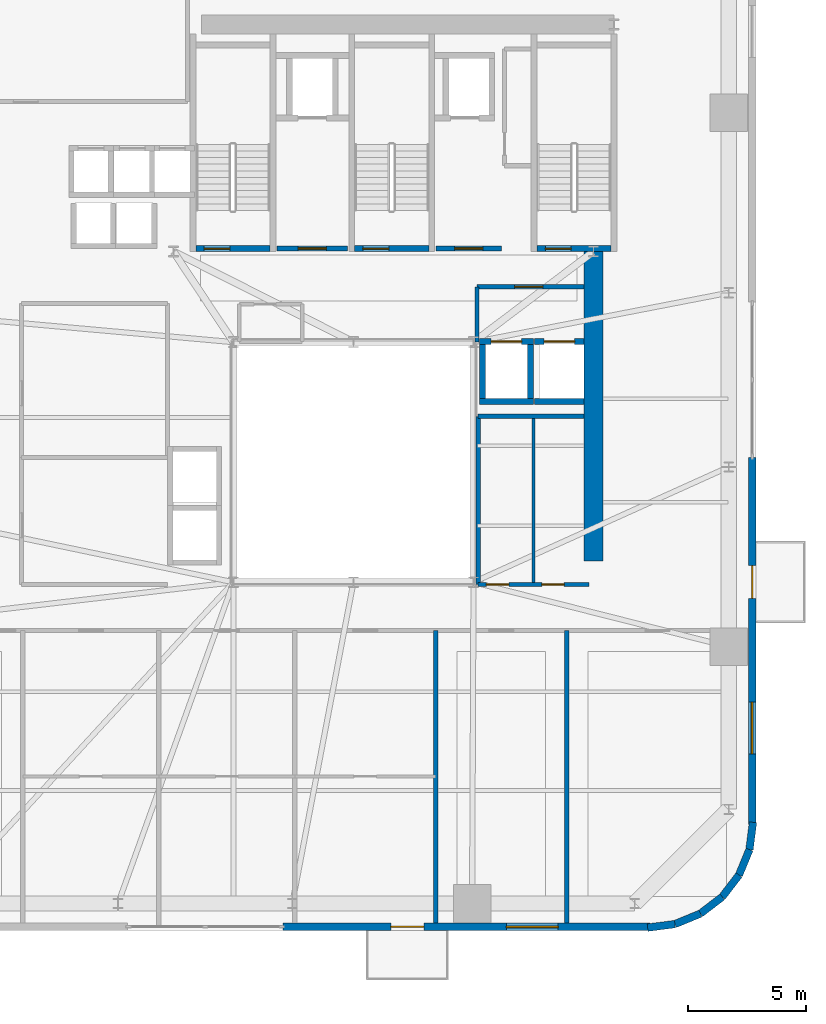
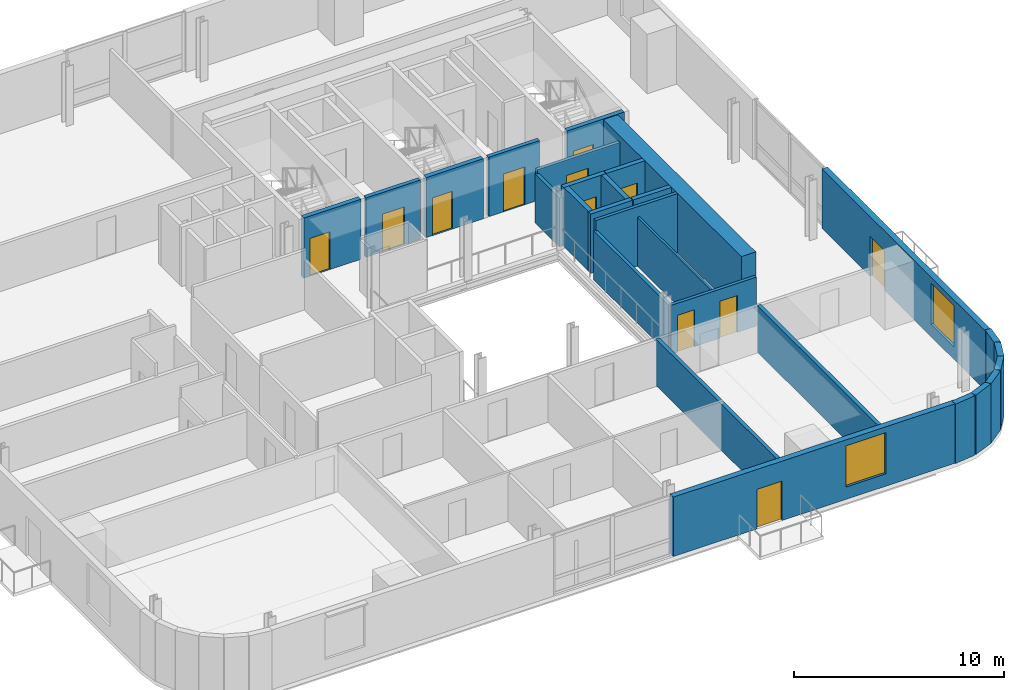
# One storey, part 7 of 14: 28 walls, 12 doors, 2 windows, 14 openings.
"""IFC4 building model written with IfcOpenShell, lengths in metres."""

from ifc_helpers import new_model, si_unit, direction, frame, frame_2d, origin, place, context, subcontext, project, spatial, rectangle, extrude, source, transform, mapped, material, layer, layer_set, type_object, element, fill, save


model = new_model("IFC4")

# Units and contexts
model_context = context("Model", 3, precision=1e-05, world=origin(), true_north=direction((0.0, 1.0)))
body_context = subcontext(model_context, "Body", "Model", "MODEL_VIEW")
ifc_project = project(units=[si_unit("LENGTHUNIT", "METRE"), si_unit("AREAUNIT", "SQUARE_METRE"), si_unit("VOLUMEUNIT", "CUBIC_METRE"), si_unit("PLANEANGLEUNIT", "RADIAN"), si_unit("MASSUNIT", "GRAM", prefix="KILO")], contexts=[model_context])

# Site, building, storey
site_placement = place(None, origin())
site = spatial("IfcSite", under=ifc_project, at=site_placement, CompositionType="ELEMENT")
building_placement = place(site_placement, origin())
building = spatial("IfcBuilding", under=site, at=building_placement, Name="Vardaveli Station Tower", CompositionType="ELEMENT")
storey_placement = place(building_placement, frame((0.0, 0.0, 144.60009765625)))
storey = spatial("IfcBuildingStorey", under=building, at=storey_placement, Name="L37", CompositionType="ELEMENT", Elevation=144.60009765625)

# Wall
ifc_material_1 = material(Name="Concrete C50/60", Category="concrete")
ifc_layer_1 = layer(ifc_material_1, 0.800048828125, Name="Concrete C50/60")
ifc_layer_set_1 = layer_set([ifc_layer_1], Name="Concrete C50/60")
wall_type_1 = type_object("IfcWallType", Name="WAL-CORE-800", PredefinedType="SHEAR", material=ifc_layer_set_1)
shared_shape_1 = source(origin(), body_context, "Body", "SweptSolid", [
    extrude(rectangle(XDim=13.14990234375, YDim=0.800048828125, at=frame_2d((6.574951171875, 0.0))), origin(), (0.0, 0.0, 1.0), 3.4599609375),
])
wall_1_placement = place(storey_placement, frame((46.5, 17.5, 0.0), z_axis=(0.0, 0.0, 1.0), x_axis=(0.0, 1.0, 0.0)))
element("IfcWall", 1, at=wall_1_placement, inside=storey, type_object=wall_type_1, Name="SW-L37-EAST2", PredefinedType="SHEAR", context=body_context, shape_type="MappedRepresentation", body=[
    mapped(shared_shape_1, transform((0.0, 0.0, 0.0), scale=1.0)),
])

# Wall, openings, door, window
ifc_material_2 = material(Name="Precast concrete C45/55", Category="concrete")
ifc_layer_2 = layer(ifc_material_2, 0.320068359375, Name="Precast concrete C45/55")
ifc_layer_set_2 = layer_set([ifc_layer_2], Name="Precast concrete C45/55")
wall_type_2 = type_object("IfcWallType", Name="WAL-EXT-STONE-320", PredefinedType="SOLIDWALL", material=ifc_layer_set_2)
shared_shape_2 = source(origin(), body_context, "Body", "SweptSolid", [
    extrude(rectangle(XDim=15.599853515625, YDim=0.320068359375, at=frame_2d((7.7998046875, 0.0))), origin(), (0.0, 0.0, 1.0), 3.4599609375),
])
wall_2_placement = place(storey_placement, frame((33.300048828125, 1.9599609375, 0.0), z_axis=(0.0, 0.0, 1.0), x_axis=(1.0, 0.0, 0.0)))
wall_2 = element("IfcWall", 2, at=wall_2_placement, inside=storey, type_object=wall_type_2, Name="EW-L37-S2", PredefinedType="SOLIDWALL", context=body_context, shape_type="MappedRepresentation", body=[
    mapped(shared_shape_2, transform((0.0, 0.0, 0.0), scale=1.0)),
])
shared_shape_3 = source(origin(), body_context, "Body", "SweptSolid", [
    extrude(rectangle(XDim=1.39990234375, YDim=2.300048828125, at=frame_2d((0.699951171875, 1.14990234375))), frame((0.0, 0.169921875, 0.0), z_axis=(0.0, -1.0, 0.0), x_axis=(1.0, 0.0, 0.0)), (0.0, 0.0, 1.0), 0.340087890625),
])
opening_1_placement = place(wall_2_placement, frame((4.589599609375, 0.0, 0.0)))
opening_1 = element("IfcOpeningElement", 3, at=opening_1_placement, cuts=wall_2, Name="Opening D-09", PredefinedType="OPENING", context=body_context, shape_type="MappedRepresentation", body=[
    mapped(shared_shape_3, transform((0.0, 0.0, 0.0), scale=1.0)),
])
shared_shape_4 = source(origin(), body_context, "Body", "SweptSolid", [
    extrude(rectangle(XDim=2.199951171875, YDim=2.39990234375, at=frame_2d((1.10009765625, 1.199951171875))), frame((0.0, 0.169921875, 0.0), z_axis=(0.0, -1.0, 0.0), x_axis=(1.0, 0.0, 0.0)), (0.0, 0.0, 1.0), 0.340087890625),
])
opening_2_placement = place(wall_2_placement, frame((9.4951171875, 0.0, 0.719970703125)))
opening_2 = element("IfcOpeningElement", 4, at=opening_2_placement, cuts=wall_2, Name="Opening W-03", PredefinedType="OPENING", context=body_context, shape_type="MappedRepresentation", body=[
    mapped(shared_shape_4, transform((0.0, 0.0, 0.0), scale=1.0)),
])
ifc_material_3 = material(Name="Thermally broken aluminium glass", Category="aluminium")
door_type_1 = type_object("IfcDoorType", Name="DR-LOG-1400x2300", OperationType="DOUBLE_DOOR_SLIDING", PredefinedType="DOOR", material=ifc_material_3)
shared_shape_5 = source(origin(), body_context, "Body", "SweptSolid", [
    extrude(rectangle(XDim=1.39990234375, YDim=2.300048828125, at=frame_2d((0.699951171875, 1.14990234375))), frame((0.0, 0.02490234375, 0.0), z_axis=(0.0, -1.0, 0.0), x_axis=(1.0, 0.0, 0.0)), (0.0, 0.0, 1.0), 0.050048828125),
])
door_1_placement = place(opening_1_placement, frame((1.39990234375, 0.0, 0.0), z_axis=(0.0, 0.0, 1.0), x_axis=(-1.0, 0.0, 0.0)))
door_1 = element("IfcDoor", 5, at=door_1_placement, inside=storey, type_object=door_type_1, Name="DLG-L37-S", OperationType="DOUBLE_DOOR_SLIDING", OverallHeight=2.300048828125, OverallWidth=1.39990234375, PredefinedType="DOOR", context=body_context, shape_type="MappedRepresentation", body=[
    mapped(shared_shape_5, transform((0.0, 0.0, 0.0), scale=1.0)),
])
fill(opening_1, door_1)
ifc_material_4 = material(Name="Low-E solar-control glass", Category="glass")
window_type = type_object("IfcWindowType", Name="WIN-LOG-2200x2400", PartitioningType="SINGLE_PANEL", PredefinedType="WINDOW", material=ifc_material_4)
shared_shape_6 = source(origin(), body_context, "Body", "SweptSolid", [
    extrude(rectangle(XDim=2.199951171875, YDim=2.39990234375, at=frame_2d((1.10009765625, 1.199951171875))), frame((0.0, 0.030029296875, 0.0), z_axis=(0.0, -1.0, 0.0), x_axis=(1.0, 0.0, 0.0)), (0.0, 0.0, 1.0), 0.06005859375),
])
window_1_placement = place(opening_2_placement, origin())
window_1 = element("IfcWindow", 6, at=window_1_placement, inside=storey, type_object=window_type, Name="WN-L37-S2", OverallHeight=2.39990234375, OverallWidth=2.199951171875, PartitioningType="SINGLE_PANEL", PredefinedType="WINDOW", context=body_context, shape_type="MappedRepresentation", body=[
    mapped(shared_shape_6, transform((0.0, 0.0, 0.0), scale=1.0)),
])
fill(opening_2, window_1)

wall_3_placement = place(storey_placement, frame((53.239990234375, 6.300048828125, 0.0), z_axis=(0.0, 0.0, 1.0), x_axis=(0.0, 1.0, 0.0)))
wall_3 = element("IfcWall", 7, at=wall_3_placement, inside=storey, type_object=wall_type_2, Name="EW-L37-E1", PredefinedType="SOLIDWALL", context=body_context, shape_type="MappedRepresentation", body=[
    mapped(shared_shape_2, transform((0.0, 0.0, 0.0), scale=1.0)),
])
opening_3_placement = place(wall_3_placement, frame((9.6103515625, 0.0, 0.0)))
opening_3 = element("IfcOpeningElement", 8, at=opening_3_placement, cuts=wall_3, Name="Opening D-09", PredefinedType="OPENING", context=body_context, shape_type="MappedRepresentation", body=[
    mapped(shared_shape_3, transform((0.0, 0.0, 0.0), scale=1.0)),
])
opening_4_placement = place(wall_3_placement, frame((3.0048828125, 0.0, 0.719970703125)))
opening_4 = element("IfcOpeningElement", 9, at=opening_4_placement, cuts=wall_3, Name="Opening W-03", PredefinedType="OPENING", context=body_context, shape_type="MappedRepresentation", body=[
    mapped(shared_shape_4, transform((0.0, 0.0, 0.0), scale=1.0)),
])
door_2_placement = place(opening_3_placement, frame((1.39990234375, 0.0, 0.0), z_axis=(0.0, 0.0, 1.0), x_axis=(-1.0, 0.0, 0.0)))
door_2 = element("IfcDoor", 10, at=door_2_placement, inside=storey, type_object=door_type_1, Name="DLG-L37-E", OperationType="DOUBLE_DOOR_SLIDING", OverallHeight=2.300048828125, OverallWidth=1.39990234375, PredefinedType="DOOR", context=body_context, shape_type="MappedRepresentation", body=[
    mapped(shared_shape_5, transform((0.0, 0.0, 0.0), scale=1.0)),
])
fill(opening_3, door_2)
window_2_placement = place(opening_4_placement, origin())
window_2 = element("IfcWindow", 11, at=window_2_placement, inside=storey, type_object=window_type, Name="WN-L37-E1", OverallHeight=2.39990234375, OverallWidth=2.199951171875, PartitioningType="SINGLE_PANEL", PredefinedType="WINDOW", context=body_context, shape_type="MappedRepresentation", body=[
    mapped(shared_shape_6, transform((0.0, 0.0, 0.0), scale=1.0)),
])
fill(opening_4, window_2)

# Walls
shared_shape_7 = source(origin(), body_context, "Body", "SweptSolid", [
    extrude(rectangle(XDim=1.170654296875, YDim=0.320068359375, at=frame_2d((0.58544921875, 0.0))), origin(), (0.0, 0.0, 1.0), 3.4599609375),
])
wall_4_placement = place(storey_placement, frame((53.12548828125, 5.23974609375, 0.0), z_axis=(0.0, 0.0, 1.0), x_axis=(0.128269133229, 0.991739395941, 0.0)))
element("IfcWall", 12, at=wall_4_placement, inside=storey, type_object=wall_type_2, Name="EW-L37-CR2-6", PredefinedType="SOLIDWALL", context=body_context, shape_type="MappedRepresentation", body=[
    mapped(shared_shape_7, transform((0.0, 0.0, 0.0), scale=1.0)),
])
shared_shape_8 = source(origin(), body_context, "Body", "SweptSolid", [
    extrude(rectangle(XDim=1.1689453125, YDim=0.320068359375, at=frame_2d((0.58447265625, 0.0))), origin(), (0.0, 0.0, 1.0), 3.4599609375),
])
for number, where, z_axis, x_axis, name in (
    (13, (51.96875, 3.231201171875, 0.0), (0.0, 0.0, 1.0), (0.608387696831, 0.793639975269, 0.0), "EW-L37-CR2-4"),
    (14, (52.679931640625, 4.158935546875, 0.0), (0.0, 0.0, 1.0), (0.381127904695, 0.924522320046, 0.0), "EW-L37-CR2-5"),
):
    element("IfcWall", number, at=place(storey_placement, frame(where, z_axis=z_axis, x_axis=x_axis)), inside=storey, type_object=wall_type_2, Name=name, PredefinedType="SOLIDWALL", context=body_context, shape_type="MappedRepresentation", body=[
        mapped(shared_shape_8, transform((0.0, 0.0, 0.0), scale=1.0)),
    ])
shared_shape_9 = source(origin(), body_context, "Body", "SweptSolid", [
    extrude(rectangle(XDim=1.168701171875, YDim=0.320068359375, at=frame_2d((0.58447265625, 0.0))), origin(), (0.0, 0.0, 1.0), 3.4599609375),
])
wall_5_placement = place(storey_placement, frame((51.041259765625, 2.520263671875, 0.0), z_axis=(0.0, 0.0, 1.0), x_axis=(0.793663520347, 0.608356981114, 0.0)))
element("IfcWall", 15, at=wall_5_placement, inside=storey, type_object=wall_type_2, Name="EW-L37-CR2-3", PredefinedType="SOLIDWALL", context=body_context, shape_type="MappedRepresentation", body=[
    mapped(shared_shape_9, transform((0.0, 0.0, 0.0), scale=1.0)),
])
shared_shape_10 = source(origin(), body_context, "Body", "SweptSolid", [
    extrude(rectangle(XDim=1.16943359375, YDim=0.320068359375, at=frame_2d((0.584716796875, 0.0))), origin(), (0.0, 0.0, 1.0), 3.4599609375),
])
wall_6_placement = place(storey_placement, frame((49.960205078125, 2.074462890625, 0.0), z_axis=(0.0, 0.0, 1.0), x_axis=(0.924479075121, 0.381232789334, 0.0)))
element("IfcWall", 16, at=wall_6_placement, inside=storey, type_object=wall_type_2, Name="EW-L37-CR2-2", PredefinedType="SOLIDWALL", context=body_context, shape_type="MappedRepresentation", body=[
    mapped(shared_shape_10, transform((0.0, 0.0, 0.0), scale=1.0)),
])
shared_shape_11 = source(origin(), body_context, "Body", "SweptSolid", [
    extrude(rectangle(XDim=1.170166015625, YDim=0.320068359375, at=frame_2d((0.5849609375, 0.0))), origin(), (0.0, 0.0, 1.0), 3.4599609375),
])
wall_7_placement = place(storey_placement, frame((48.799560546875, 1.924560546875, 0.0), z_axis=(0.0, 0.0, 1.0), x_axis=(0.991762485493, 0.128090485085, 0.0)))
element("IfcWall", 17, at=wall_7_placement, inside=storey, type_object=wall_type_2, Name="EW-L37-CR2-1", PredefinedType="SOLIDWALL", context=body_context, shape_type="MappedRepresentation", body=[
    mapped(shared_shape_11, transform((0.0, 0.0, 0.0), scale=1.0)),
])

# Wall, opening, door
ifc_material_5 = material(Name="Concrete C40/50", Category="concrete")
ifc_layer_3 = layer(ifc_material_5, 0.25, Name="Concrete C40/50")
ifc_layer_set_3 = layer_set([ifc_layer_3], Name="Concrete C40/50")
wall_type_3 = type_object("IfcWallType", Name="WAL-SHAFT-250", PredefinedType="SOLIDWALL", material=ifc_layer_set_3)
shared_shape_12 = source(origin(), body_context, "Body", "SweptSolid", [
    extrude(rectangle(XDim=3.14990234375, YDim=0.25, at=frame_2d((1.574951171875, 0.0))), origin(), (0.0, 0.0, 1.0), 3.5),
])
wall_8_placement = place(storey_placement, frame((29.60009765625, 30.77490234375, 0.0), z_axis=(0.0, 0.0, 1.0), x_axis=(1.0, 0.0, 0.0)))
wall_8 = element("IfcWall", 18, at=wall_8_placement, inside=storey, type_object=wall_type_3, Name="W-L37-ST-1S", PredefinedType="SOLIDWALL", context=body_context, shape_type="MappedRepresentation", body=[
    mapped(shared_shape_12, transform((0.0, 0.0, 0.0), scale=1.0)),
])
shared_shape_13 = source(origin(), body_context, "Body", "SweptSolid", [
    extrude(rectangle(XDim=1.10009765625, YDim=2.199951171875, at=frame_2d((0.550048828125, 1.10009765625))), frame((0.0, 0.135009765625, 0.0), z_axis=(0.0, -1.0, 0.0), x_axis=(1.0, 0.0, 0.0)), (0.0, 0.0, 1.0), 0.27001953125),
])
opening_5_placement = place(wall_8_placement, frame((0.35009765625, 0.0, 0.0)))
opening_5 = element("IfcOpeningElement", 19, at=opening_5_placement, cuts=wall_8, Name="Opening D-04", PredefinedType="OPENING", context=body_context, shape_type="MappedRepresentation", body=[
    mapped(shared_shape_13, transform((0.0, 0.0, 0.0), scale=1.0)),
])
ifc_material_6 = material(Name="Steel smokeproof fire doorset", Category="steel")
door_type_2 = type_object("IfcDoorType", Name="DR-ST-1100x2200", OperationType="NOTDEFINED", PredefinedType="DOOR", material=ifc_material_6)
shared_shape_14 = source(origin(), body_context, "Body", "SweptSolid", [
    extrude(rectangle(XDim=1.10009765625, YDim=2.199951171875, at=frame_2d((0.550048828125, 1.10009765625))), frame((0.0, 0.02490234375, 0.0), z_axis=(0.0, -1.0, 0.0), x_axis=(1.0, 0.0, 0.0)), (0.0, 0.0, 1.0), 0.050048828125),
])
door_3_placement = place(opening_5_placement, origin())
door_3 = element("IfcDoor", 20, at=door_3_placement, inside=storey, type_object=door_type_2, Name="DST-1-L37", OperationType="SINGLE_SWING_LEFT", OverallHeight=2.199951171875, OverallWidth=1.10009765625, PredefinedType="DOOR", context=body_context, shape_type="MappedRepresentation", body=[
    mapped(shared_shape_14, transform((0.0, 0.0, 0.0), scale=1.0)),
])
fill(opening_5, door_3)

wall_9_placement = place(storey_placement, frame((36.35009765625, 30.77490234375, 0.0), z_axis=(0.0, 0.0, 1.0), x_axis=(1.0, 0.0, 0.0)))
wall_9 = element("IfcWall", 21, at=wall_9_placement, inside=storey, type_object=wall_type_3, Name="W-L37-ST-2S", PredefinedType="SOLIDWALL", context=body_context, shape_type="MappedRepresentation", body=[
    mapped(shared_shape_12, transform((0.0, 0.0, 0.0), scale=1.0)),
])
opening_6_placement = place(wall_9_placement, frame((0.35009765625, 0.0, 0.0)))
opening_6 = element("IfcOpeningElement", 22, at=opening_6_placement, cuts=wall_9, Name="Opening D-04", PredefinedType="OPENING", context=body_context, shape_type="MappedRepresentation", body=[
    mapped(shared_shape_13, transform((0.0, 0.0, 0.0), scale=1.0)),
])
door_4_placement = place(opening_6_placement, origin())
door_4 = element("IfcDoor", 23, at=door_4_placement, inside=storey, type_object=door_type_2, Name="DST-2-L37", OperationType="SINGLE_SWING_LEFT", OverallHeight=2.199951171875, OverallWidth=1.10009765625, PredefinedType="DOOR", context=body_context, shape_type="MappedRepresentation", body=[
    mapped(shared_shape_14, transform((0.0, 0.0, 0.0), scale=1.0)),
])
fill(opening_6, door_4)

wall_10_placement = place(storey_placement, frame((44.10009765625, 30.77490234375, 0.0), z_axis=(0.0, 0.0, 1.0), x_axis=(1.0, 0.0, 0.0)))
wall_10 = element("IfcWall", 24, at=wall_10_placement, inside=storey, type_object=wall_type_3, Name="W-L37-ST-3S", PredefinedType="SOLIDWALL", context=body_context, shape_type="MappedRepresentation", body=[
    mapped(shared_shape_12, transform((0.0, 0.0, 0.0), scale=1.0)),
])
opening_7_placement = place(wall_10_placement, frame((0.35009765625, 0.0, 0.0)))
opening_7 = element("IfcOpeningElement", 25, at=opening_7_placement, cuts=wall_10, Name="Opening D-04", PredefinedType="OPENING", context=body_context, shape_type="MappedRepresentation", body=[
    mapped(shared_shape_13, transform((0.0, 0.0, 0.0), scale=1.0)),
])
door_5_placement = place(opening_7_placement, origin())
door_5 = element("IfcDoor", 26, at=door_5_placement, inside=storey, type_object=door_type_2, Name="DST-3-L37", OperationType="SINGLE_SWING_LEFT", OverallHeight=2.199951171875, OverallWidth=1.10009765625, PredefinedType="DOOR", context=body_context, shape_type="MappedRepresentation", body=[
    mapped(shared_shape_14, transform((0.0, 0.0, 0.0), scale=1.0)),
])
fill(opening_7, door_5)

ifc_layer_4 = layer(ifc_material_5, 0.219970703125, Name="Concrete C40/50")
ifc_layer_set_4 = layer_set([ifc_layer_4], Name="Concrete C40/50")
wall_type_4 = type_object("IfcWallType", Name="WAL-FFLOBBY-220", PredefinedType="SOLIDWALL", material=ifc_layer_set_4)
shared_shape_15 = source(origin(), body_context, "Body", "SweptSolid", [
    extrude(rectangle(XDim=3.0, YDim=0.219970703125, at=frame_2d((1.5, 0.0))), origin(), (0.0, 0.0, 1.0), 3.4599609375),
])
wall_11_placement = place(storey_placement, frame((33.050048828125, 30.780029296875, 0.0), z_axis=(0.0, 0.0, 1.0), x_axis=(1.0, 0.0, 0.0)))
wall_11 = element("IfcWall", 27, at=wall_11_placement, inside=storey, type_object=wall_type_4, Name="W-L37-FFL1S", PredefinedType="SOLIDWALL", context=body_context, shape_type="MappedRepresentation", body=[
    mapped(shared_shape_15, transform((0.0, 0.0, 0.0), scale=1.0)),
])
shared_shape_16 = source(origin(), body_context, "Body", "SweptSolid", [
    extrude(rectangle(XDim=1.199951171875, YDim=2.199951171875, at=frame_2d((0.60009765625, 1.10009765625))), frame((0.0, 0.1201171875, 0.0), z_axis=(0.0, -1.0, 0.0), x_axis=(1.0, 0.0, 0.0)), (0.0, 0.0, 1.0), 0.239990234375),
])
opening_8_placement = place(wall_11_placement, frame((0.89990234375, 0.0, 0.0)))
opening_8 = element("IfcOpeningElement", 28, at=opening_8_placement, cuts=wall_11, Name="Opening D-03", PredefinedType="OPENING", context=body_context, shape_type="MappedRepresentation", body=[
    mapped(shared_shape_16, transform((0.0, 0.0, 0.0), scale=1.0)),
])
door_type_3 = type_object("IfcDoorType", Name="DR-FFL-1200x2200", OperationType="NOTDEFINED", PredefinedType="DOOR", material=ifc_material_6)
shared_shape_17 = source(origin(), body_context, "Body", "SweptSolid", [
    extrude(rectangle(XDim=1.199951171875, YDim=2.199951171875, at=frame_2d((0.60009765625, 1.10009765625))), frame((0.0, 0.02490234375, 0.0), z_axis=(0.0, -1.0, 0.0), x_axis=(1.0, 0.0, 0.0)), (0.0, 0.0, 1.0), 0.050048828125),
])
door_6_placement = place(opening_8_placement, origin())
door_6 = element("IfcDoor", 29, at=door_6_placement, inside=storey, type_object=door_type_3, Name="DFFL1-L37", OperationType="SINGLE_SWING_LEFT", OverallHeight=2.199951171875, OverallWidth=1.199951171875, PredefinedType="DOOR", context=body_context, shape_type="MappedRepresentation", body=[
    mapped(shared_shape_17, transform((0.0, 0.0, 0.0), scale=1.0)),
])
fill(opening_8, door_6)

shared_shape_18 = source(origin(), body_context, "Body", "SweptSolid", [
    extrude(rectangle(XDim=2.800048828125, YDim=0.219970703125, at=frame_2d((1.39990234375, 0.0))), origin(), (0.0, 0.0, 1.0), 3.4599609375),
])
wall_12_placement = place(storey_placement, frame((39.800048828125, 30.780029296875, 0.0), z_axis=(0.0, 0.0, 1.0), x_axis=(1.0, 0.0, 0.0)))
wall_12 = element("IfcWall", 30, at=wall_12_placement, inside=storey, type_object=wall_type_4, Name="W-L37-FFL2S", PredefinedType="SOLIDWALL", context=body_context, shape_type="MappedRepresentation", body=[
    mapped(shared_shape_18, transform((0.0, 0.0, 0.0), scale=1.0)),
])
opening_9_placement = place(wall_12_placement, frame((0.800048828125, 0.0, 0.0)))
opening_9 = element("IfcOpeningElement", 31, at=opening_9_placement, cuts=wall_12, Name="Opening D-03", PredefinedType="OPENING", context=body_context, shape_type="MappedRepresentation", body=[
    mapped(shared_shape_16, transform((0.0, 0.0, 0.0), scale=1.0)),
])
door_7_placement = place(opening_9_placement, origin())
door_7 = element("IfcDoor", 32, at=door_7_placement, inside=storey, type_object=door_type_3, Name="DFFL2-L37", OperationType="SINGLE_SWING_RIGHT", OverallHeight=2.199951171875, OverallWidth=1.199951171875, PredefinedType="DOOR", context=body_context, shape_type="MappedRepresentation", body=[
    mapped(shared_shape_17, transform((0.0, 0.0, 0.0), scale=1.0)),
])
fill(opening_9, door_7)

# Wall
shared_shape_19 = source(origin(), body_context, "Body", "SweptSolid", [
    extrude(rectangle(XDim=2.300048828125, YDim=0.25, at=frame_2d((1.14990234375, 0.0))), origin(), (0.0, 0.0, 1.0), 3.4599609375),
])
wall_13_placement = place(storey_placement, frame((41.64990234375, 24.27490234375, 0.0), z_axis=(0.0, 0.0, 1.0), x_axis=(1.0, 0.0, 0.0)))
element("IfcWall", 33, at=wall_13_placement, inside=storey, type_object=wall_type_3, Name="SHW-SRV-01-L37-S", PredefinedType="SOLIDWALL", context=body_context, shape_type="MappedRepresentation", body=[
    mapped(shared_shape_19, transform((0.0, 0.0, 0.0), scale=1.0)),
])

# Wall, opening, door
wall_14_placement = place(storey_placement, frame((41.64990234375, 26.824951171875, 0.0), z_axis=(0.0, 0.0, 1.0), x_axis=(1.0, 0.0, 0.0)))
wall_14 = element("IfcWall", 34, at=wall_14_placement, inside=storey, type_object=wall_type_3, Name="SHW-SRV-01-L37-N", PredefinedType="SOLIDWALL", context=body_context, shape_type="MappedRepresentation", body=[
    mapped(shared_shape_19, transform((0.0, 0.0, 0.0), scale=1.0)),
])
shared_shape_20 = source(origin(), body_context, "Body", "SweptSolid", [
    extrude(rectangle(XDim=1.300048828125, YDim=2.300048828125, at=frame_2d((0.64990234375, 1.14990234375))), frame((0.0, 0.135009765625, 0.0), z_axis=(0.0, -1.0, 0.0), x_axis=(1.0, 0.0, 0.0)), (0.0, 0.0, 1.0), 0.27001953125),
])
opening_10_placement = place(wall_14_placement, frame((0.5, 0.0, 0.0)))
opening_10 = element("IfcOpeningElement", 35, at=opening_10_placement, cuts=wall_14, Name="Opening LD-03", PredefinedType="OPENING", context=body_context, shape_type="MappedRepresentation", body=[
    mapped(shared_shape_20, transform((0.0, 0.0, 0.0), scale=1.0)),
])
ifc_material_7 = material(Name="Brushed stainless steel", Category="steel")
door_type_4 = type_object("IfcDoorType", Name="DR-LD-1300x2300", OperationType="DOUBLE_DOOR_SLIDING", PredefinedType="DOOR", material=ifc_material_7)
shared_shape_21 = source(origin(), body_context, "Body", "SweptSolid", [
    extrude(rectangle(XDim=1.300048828125, YDim=2.300048828125, at=frame_2d((0.64990234375, 1.14990234375))), frame((0.0, 0.02490234375, 0.0), z_axis=(0.0, -1.0, 0.0), x_axis=(1.0, 0.0, 0.0)), (0.0, 0.0, 1.0), 0.050048828125),
])
door_8_placement = place(opening_10_placement, origin())
door_8 = element("IfcDoor", 36, at=door_8_placement, inside=storey, type_object=door_type_4, Name="LD-SRV-01-L37", OperationType="DOUBLE_DOOR_SLIDING", OverallHeight=2.300048828125, OverallWidth=1.300048828125, PredefinedType="DOOR", context=body_context, shape_type="MappedRepresentation", body=[
    mapped(shared_shape_21, transform((0.0, 0.0, 0.0), scale=1.0)),
])
fill(opening_10, door_8)

# Walls
for number, where, z_axis, x_axis, name in (
    (37, (41.77490234375, 24.39990234375, 0.0), (0.0, 0.0, 1.0), (0.0, 1.0, 0.0), "SHW-SRV-01-L37-W"),
    (38, (43.824951171875, 24.39990234375, 0.0), (0.0, 0.0, 1.0), (0.0, 1.0, 0.0), "SHW-SRV-01-L37-E"),
):
    element("IfcWall", number, at=place(storey_placement, frame(where, z_axis=z_axis, x_axis=x_axis)), inside=storey, type_object=wall_type_3, Name=name, PredefinedType="SOLIDWALL", context=body_context, shape_type="MappedRepresentation", body=[
        mapped(shared_shape_19, transform((0.0, 0.0, 0.0), scale=1.0)),
    ])
shared_shape_22 = source(origin(), body_context, "Body", "SweptSolid", [
    extrude(rectangle(XDim=2.10009765625, YDim=0.25, at=frame_2d((1.050048828125, 0.0))), origin(), (0.0, 0.0, 1.0), 3.4599609375),
])
wall_15_placement = place(storey_placement, frame((44.0, 24.27490234375, 0.0), z_axis=(0.0, 0.0, 1.0), x_axis=(1.0, 0.0, 0.0)))
element("IfcWall", 39, at=wall_15_placement, inside=storey, type_object=wall_type_3, Name="SHW-SRV-02-L37-S", PredefinedType="SOLIDWALL", context=body_context, shape_type="MappedRepresentation", body=[
    mapped(shared_shape_22, transform((0.0, 0.0, 0.0), scale=1.0)),
])

# Wall, opening, door
wall_16_placement = place(storey_placement, frame((44.0, 26.824951171875, 0.0), z_axis=(0.0, 0.0, 1.0), x_axis=(1.0, 0.0, 0.0)))
wall_16 = element("IfcWall", 40, at=wall_16_placement, inside=storey, type_object=wall_type_3, Name="SHW-SRV-02-L37-N", PredefinedType="SOLIDWALL", context=body_context, shape_type="MappedRepresentation", body=[
    mapped(shared_shape_22, transform((0.0, 0.0, 0.0), scale=1.0)),
])
opening_11_placement = place(wall_16_placement, frame((0.39990234375, 0.0, 0.0)))
opening_11 = element("IfcOpeningElement", 41, at=opening_11_placement, cuts=wall_16, Name="Opening LD-03", PredefinedType="OPENING", context=body_context, shape_type="MappedRepresentation", body=[
    mapped(shared_shape_20, transform((0.0, 0.0, 0.0), scale=1.0)),
])
door_9_placement = place(opening_11_placement, origin())
door_9 = element("IfcDoor", 42, at=door_9_placement, inside=storey, type_object=door_type_4, Name="LD-SRV-02-L37", OperationType="DOUBLE_DOOR_SLIDING", OverallHeight=2.300048828125, OverallWidth=1.300048828125, PredefinedType="DOOR", context=body_context, shape_type="MappedRepresentation", body=[
    mapped(shared_shape_21, transform((0.0, 0.0, 0.0), scale=1.0)),
])
fill(opening_11, door_9)

# Walls
ifc_material_8 = material(Name="Acoustic twin-stud gypsum partition")
ifc_layer_5 = layer(ifc_material_8, 0.199951171875, Name="Acoustic twin-stud gypsum partition")
ifc_layer_set_5 = layer_set([ifc_layer_5], Name="Acoustic twin-stud gypsum partition")
wall_type_5 = type_object("IfcWallType", Name="WAL-PARTY-200", PredefinedType="PARTITIONING", material=ifc_layer_set_5)
shared_shape_23 = source(origin(), body_context, "Body", "SweptSolid", [
    extrude(rectangle(XDim=12.427978515625, YDim=0.199951171875, at=frame_2d((6.2138671875, 0.0))), origin(), (0.0, 0.0, 1.0), 2.701904296875),
])
for number, where, z_axis, x_axis, name in (
    (43, (39.7900390625, 2.1220703125, 0.0), (0.0, 0.0, 1.0), (0.0, 1.0, 0.0), "W-L37-PS4"),
    (44, (45.366943359375, 2.1220703125, 0.0), (0.0, 0.0, 1.0), (0.0, 1.0, 0.0), "W-L37-PS5"),
):
    element("IfcWall", number, at=place(storey_placement, frame(where, z_axis=z_axis, x_axis=x_axis)), inside=storey, type_object=wall_type_5, Name=name, PredefinedType="PARTITIONING", context=body_context, shape_type="MappedRepresentation", body=[
        mapped(shared_shape_23, transform((0.0, 0.0, 0.0), scale=1.0)),
    ])
ifc_material_9 = material(Name="Fire-rated gypsum stud partition")
ifc_layer_6 = layer(ifc_material_9, 0.179931640625, Name="Fire-rated gypsum stud partition")
ifc_layer_set_6 = layer_set([ifc_layer_6], Name="Fire-rated gypsum stud partition")
wall_type_6 = type_object("IfcWallType", Name="WAL-CORR-180", PredefinedType="PARTITIONING", material=ifc_layer_set_6)
shared_shape_24 = source(origin(), body_context, "Body", "SweptSolid", [
    extrude(rectangle(XDim=4.497802734375, YDim=0.179931640625, at=frame_2d((2.2490234375, 0.0))), origin(), (0.0, 0.0, 1.0), 3.4599609375),
])
wall_17_placement = place(storey_placement, frame((41.60009765625, 23.64990234375, 0.0), z_axis=(0.0, 0.0, 1.0), x_axis=(1.0, 0.0, 0.0)))
element("IfcWall", 45, at=wall_17_placement, inside=storey, type_object=wall_type_6, Name="W-L37-ATE-N", PredefinedType="PARTITIONING", context=body_context, shape_type="MappedRepresentation", body=[
    mapped(shared_shape_24, transform((0.0, 0.0, 0.0), scale=1.0)),
])

# Wall, opening, door
shared_shape_25 = source(origin(), body_context, "Body", "SweptSolid", [
    extrude(rectangle(XDim=4.5478515625, YDim=0.179931640625, at=frame_2d((2.27392578125, 0.0))), origin(), (0.0, 0.0, 1.0), 3.091796875),
])
wall_18_placement = place(storey_placement, frame((41.550048828125, 29.14990234375, 0.0), z_axis=(0.0, 0.0, 1.0), x_axis=(1.0, 0.0, 0.0)))
wall_18 = element("IfcWall", 46, at=wall_18_placement, inside=storey, type_object=wall_type_6, Name="W-L37-SVFN", PredefinedType="PARTITIONING", context=body_context, shape_type="MappedRepresentation", body=[
    mapped(shared_shape_25, transform((0.0, 0.0, 0.0), scale=1.0)),
])
shared_shape_26 = source(origin(), body_context, "Body", "SweptSolid", [
    extrude(rectangle(XDim=1.199951171875, YDim=2.199951171875, at=frame_2d((0.60009765625, 1.10009765625))), frame((0.0, 0.10009765625, 0.0), z_axis=(0.0, -1.0, 0.0), x_axis=(1.0, 0.0, 0.0)), (0.0, 0.0, 1.0), 0.199951171875),
])
opening_12_placement = place(wall_18_placement, frame((1.60009765625, 0.0, 0.0)))
opening_12 = element("IfcOpeningElement", 47, at=opening_12_placement, cuts=wall_18, Name="Opening D-03", PredefinedType="OPENING", context=body_context, shape_type="MappedRepresentation", body=[
    mapped(shared_shape_26, transform((0.0, 0.0, 0.0), scale=1.0)),
])
door_10_placement = place(opening_12_placement, origin())
door_10 = element("IfcDoor", 48, at=door_10_placement, inside=storey, type_object=door_type_3, Name="D-L37-SVF", OperationType="SINGLE_SWING_RIGHT", OverallHeight=2.199951171875, OverallWidth=1.199951171875, PredefinedType="DOOR", context=body_context, shape_type="MappedRepresentation", body=[
    mapped(shared_shape_17, transform((0.0, 0.0, 0.0), scale=1.0)),
])
fill(opening_12, door_10)

# Wall, openings, doors
shared_shape_27 = source(origin(), body_context, "Body", "SweptSolid", [
    extrude(rectangle(XDim=4.699951171875, YDim=0.179931640625, at=frame_2d((2.35009765625, 0.0))), origin(), (0.0, 0.0, 1.0), 2.851806640625),
])
wall_19_placement = place(storey_placement, frame((41.60009765625, 16.5, 0.0), z_axis=(0.0, 0.0, 1.0), x_axis=(1.0, 0.0, 0.0)))
wall_19 = element("IfcWall", 49, at=wall_19_placement, inside=storey, type_object=wall_type_6, Name="W-L37-ATE-S", PredefinedType="PARTITIONING", context=body_context, shape_type="MappedRepresentation", body=[
    mapped(shared_shape_27, transform((0.0, 0.0, 0.0), scale=1.0)),
])
shared_shape_28 = source(origin(), body_context, "Body", "SweptSolid", [
    extrude(rectangle(XDim=0.949951171875, YDim=2.14990234375, at=frame_2d((0.47509765625, 1.074951171875))), frame((0.0, 0.10009765625, 0.0), z_axis=(0.0, -1.0, 0.0), x_axis=(1.0, 0.0, 0.0)), (0.0, 0.0, 1.0), 0.199951171875),
])
opening_13_placement = place(wall_19_placement, frame((0.35009765625, 0.0, 0.0)))
opening_13 = element("IfcOpeningElement", 50, at=opening_13_placement, cuts=wall_19, Name="Opening D-11", PredefinedType="OPENING", context=body_context, shape_type="MappedRepresentation", body=[
    mapped(shared_shape_28, transform((0.0, 0.0, 0.0), scale=1.0)),
])
opening_14_placement = place(wall_19_placement, frame((2.699951171875, 0.0, 0.0)))
opening_14 = element("IfcOpeningElement", 51, at=opening_14_placement, cuts=wall_19, Name="Opening D-11", PredefinedType="OPENING", context=body_context, shape_type="MappedRepresentation", body=[
    mapped(shared_shape_28, transform((0.0, 0.0, 0.0), scale=1.0)),
])
ifc_material_10 = material(Name="Oak veneer internal suite door")
door_type_5 = type_object("IfcDoorType", Name="DR-INT-950x2150", OperationType="NOTDEFINED", PredefinedType="DOOR", material=ifc_material_10)
shared_shape_29 = source(origin(), body_context, "Body", "SweptSolid", [
    extrude(rectangle(XDim=0.949951171875, YDim=2.14990234375, at=frame_2d((0.47509765625, 1.074951171875))), frame((0.0, 0.02490234375, 0.0), z_axis=(0.0, -1.0, 0.0), x_axis=(1.0, 0.0, 0.0)), (0.0, 0.0, 1.0), 0.050048828125),
])
door_11_placement = place(opening_13_placement, origin())
door_11 = element("IfcDoor", 52, at=door_11_placement, inside=storey, type_object=door_type_5, Name="D-L37-ATE1", OperationType="SINGLE_SWING_RIGHT", OverallHeight=2.14990234375, OverallWidth=0.949951171875, PredefinedType="DOOR", context=body_context, shape_type="MappedRepresentation", body=[
    mapped(shared_shape_29, transform((0.0, 0.0, 0.0), scale=1.0)),
])
fill(opening_13, door_11)
door_12_placement = place(opening_14_placement, origin())
door_12 = element("IfcDoor", 53, at=door_12_placement, inside=storey, type_object=door_type_5, Name="D-L37-ATE2", OperationType="SINGLE_SWING_RIGHT", OverallHeight=2.14990234375, OverallWidth=0.949951171875, PredefinedType="DOOR", context=body_context, shape_type="MappedRepresentation", body=[
    mapped(shared_shape_29, transform((0.0, 0.0, 0.0), scale=1.0)),
])
fill(opening_14, door_12)

# Walls
shared_shape_30 = source(origin(), body_context, "Body", "SweptSolid", [
    extrude(rectangle(XDim=7.14990234375, YDim=0.179931640625, at=frame_2d((3.574951171875, 0.0))), origin(), (0.0, 0.0, 1.0), 2.851806640625),
])
wall_20_placement = place(storey_placement, frame((41.60009765625, 16.5, 0.0), z_axis=(0.0, 0.0, 1.0), x_axis=(0.0, 1.0, 0.0)))
element("IfcWall", 54, at=wall_20_placement, inside=storey, type_object=wall_type_6, Name="W-L37-ATE-W", PredefinedType="PARTITIONING", context=body_context, shape_type="MappedRepresentation", body=[
    mapped(shared_shape_30, transform((0.0, 0.0, 0.0), scale=1.0)),
])
ifc_material_11 = material(Name="Gypsum board stud partition")
ifc_layer_7 = layer(ifc_material_11, 0.125, Name="Gypsum board stud partition")
ifc_layer_set_7 = layer_set([ifc_layer_7], Name="Gypsum board stud partition")
wall_type_7 = type_object("IfcWallType", Name="WAL-INT-125", PredefinedType="PARTITIONING", material=ifc_layer_set_7)
shared_shape_31 = source(origin(), body_context, "Body", "SweptSolid", [
    extrude(rectangle(XDim=7.14990234375, YDim=0.125, at=frame_2d((3.574951171875, 0.0))), origin(), (0.0, 0.0, 1.0), 2.851806640625),
])
wall_21_placement = place(storey_placement, frame((43.949951171875, 16.5, 0.0), z_axis=(0.0, 0.0, 1.0), x_axis=(0.0, 1.0, 0.0)))
element("IfcWall", 55, at=wall_21_placement, inside=storey, type_object=wall_type_7, Name="W-L37-ATEM", PredefinedType="PARTITIONING", context=body_context, shape_type="MappedRepresentation", body=[
    mapped(shared_shape_31, transform((0.0, 0.0, 0.0), scale=1.0)),
])
shared_shape_32 = source(origin(), body_context, "Body", "SweptSolid", [
    extrude(rectangle(XDim=2.349853515625, YDim=0.179931640625, at=frame_2d((1.1748046875, 0.0))), origin(), (0.0, 0.0, 1.0), 2.851806640625),
])
wall_22_placement = place(storey_placement, frame((41.550048828125, 26.800048828125, 0.0), z_axis=(0.0, 0.0, 1.0), x_axis=(0.0, 1.0, 0.0)))
element("IfcWall", 56, at=wall_22_placement, inside=storey, type_object=wall_type_6, Name="W-L37-SVFW", PredefinedType="PARTITIONING", context=body_context, shape_type="MappedRepresentation", body=[
    mapped(shared_shape_32, transform((0.0, 0.0, 0.0), scale=1.0)),
])

save(model, "model.ifc")
